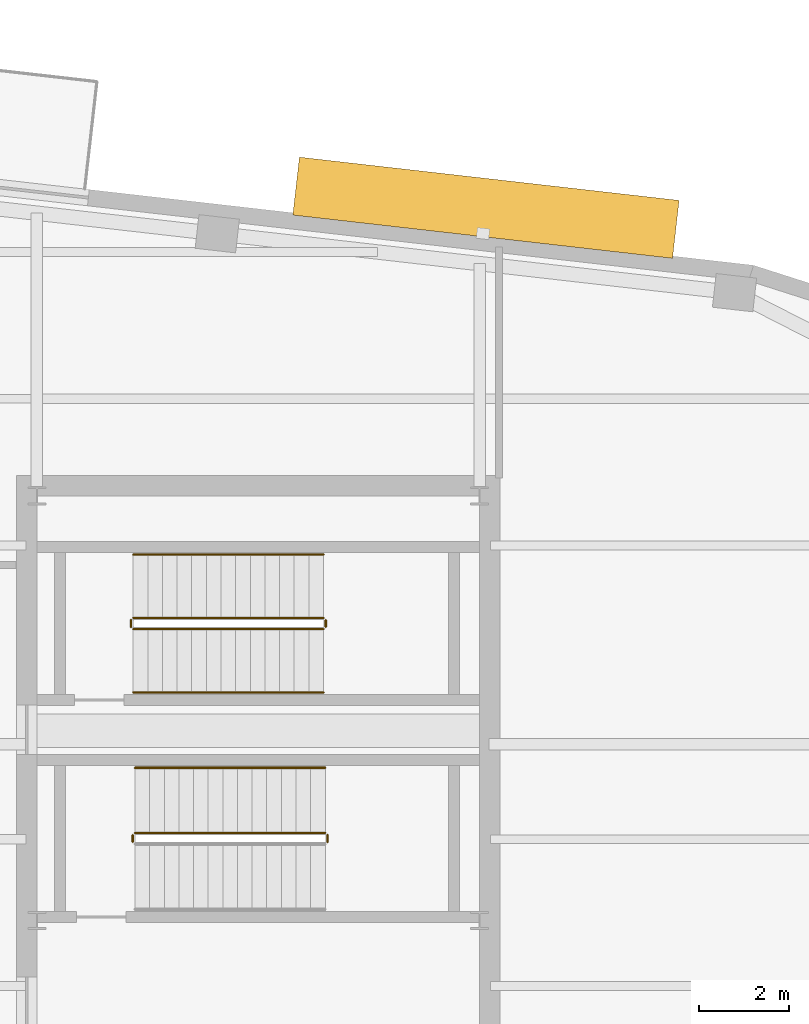
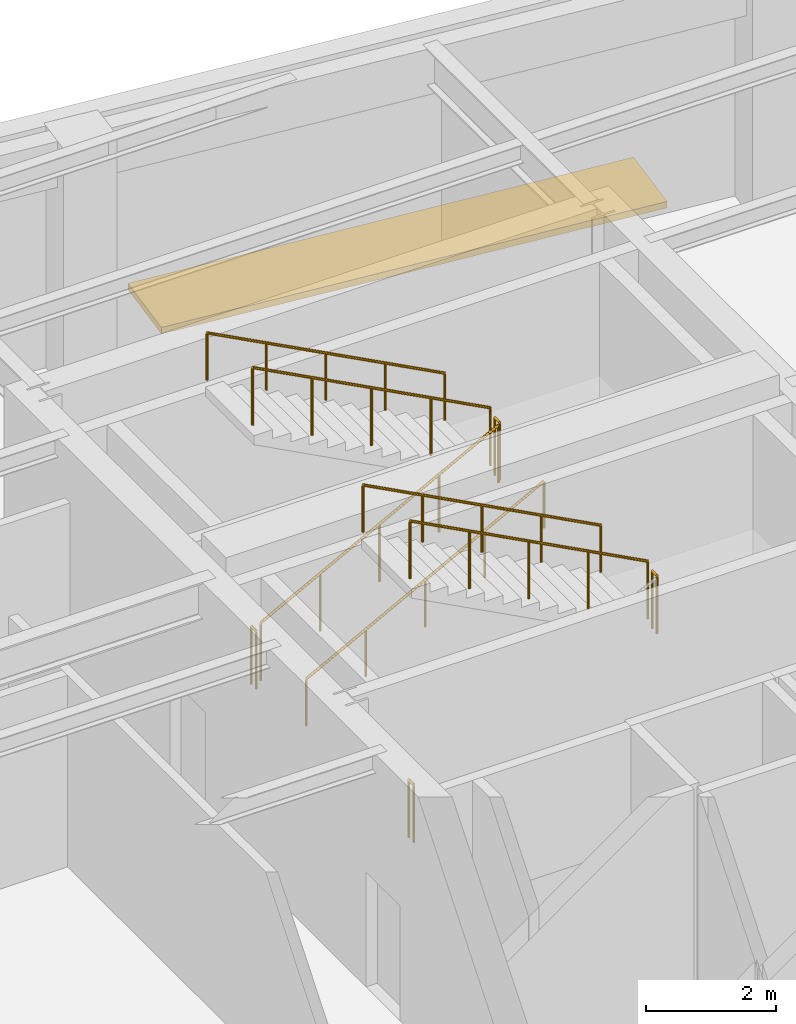
# One storey, part 14 of 15: 10 railings, 1 shading device.
"""IFC4 building model written with IfcOpenShell, lengths in metres."""

from ifc_helpers import new_model, si_unit, direction, frame, origin, origin_2d, place, context, subcontext, project, spatial, rectangle, circle, extrude, material, type_object, element, save


model = new_model("IFC4")

# Units and contexts
model_context = context("Model", 3, precision=1e-05, world=origin(), true_north=direction((0.0, 1.0)))
body_context = subcontext(model_context, "Body", "Model", "MODEL_VIEW")
ifc_project = project(units=[si_unit("LENGTHUNIT", "METRE"), si_unit("AREAUNIT", "SQUARE_METRE"), si_unit("VOLUMEUNIT", "CUBIC_METRE"), si_unit("PLANEANGLEUNIT", "RADIAN"), si_unit("MASSUNIT", "GRAM", prefix="KILO")], contexts=[model_context])

# Site, building, storey
site_placement = place(None, origin())
site = spatial("IfcSite", under=ifc_project, at=site_placement, CompositionType="ELEMENT")
building_placement = place(site_placement, origin())
building = spatial("IfcBuilding", under=site, at=building_placement, Name="Kolvaren Arena Tower", CompositionType="ELEMENT")
storey_placement = place(building_placement, frame((0.0, 0.0, 216.14990234375)))
storey = spatial("IfcBuildingStorey", under=building, at=storey_placement, Name="L52", CompositionType="ELEMENT", Elevation=216.14990234375)

# Railings
ifc_material_1 = material(Name="Painted galvanized steel", Category="steel")
railing_type_1 = type_object("IfcRailingType", Name="GUARD-ST-110", PredefinedType="GUARDRAIL", material=ifc_material_1)
railing_1_placement = place(storey_placement, frame((56.98193359375, 31.68994140625, 2.400146484375)))
element("IfcRailing", 1, at=railing_1_placement, inside=storey, type_object=railing_type_1, Name="L52 ST-E1 stair guard 2", PredefinedType="GUARDRAIL", context=body_context, shape_type="SweptSolid", body=[
    extrude(circle(Radius=0.02392578125, at=origin_2d()), frame((0.0, 0.0, 1.076171875), z_axis=(0.0, 1.0, 0.0), x_axis=(-1.0, 0.0, 0.0)), (0.0, 0.0, 1.0), 0.150146484375),
    extrude(circle(Radius=0.02099609375, at=origin_2d()), origin(), (0.0, 0.0, 1.0), 1.052001953125),
    extrude(circle(Radius=0.02099609375, at=origin_2d()), frame((0.0, 0.150146484375, 0.0)), (0.0, 0.0, 1.0), 1.052001953125),
])
railing_2_placement = place(storey_placement, frame((56.931884765625, 31.889892578125, 2.571533203125)))
element("IfcRailing", 2, at=railing_2_placement, inside=storey, type_object=railing_type_1, Name="L52 ST-E1 stair guard 3", PredefinedType="GUARDRAIL", context=body_context, shape_type="SweptSolid", body=[
    extrude(circle(Radius=0.02392578125, at=origin_2d()), frame((0.0, 0.0, 1.076171875), z_axis=(-0.883902544957, 0.0, 0.467671135542), x_axis=(0.0, -1.0, 0.0)), (0.0, 0.0, 1.0), 4.76513671875),
    extrude(circle(Radius=0.02099609375, at=origin_2d()), origin(), (0.0, 0.0, 1.0), 1.052001953125),
    extrude(circle(Radius=0.02099609375, at=origin_2d()), frame((-1.052978515625, 0.0, 0.55712890625)), (0.0, 0.0, 1.0), 1.052001953125),
    extrude(circle(Radius=0.02099609375, at=origin_2d()), frame((-2.10595703125, 0.0, 1.1142578125)), (0.0, 0.0, 1.0), 1.052001953125),
    extrude(circle(Radius=0.02099609375, at=origin_2d()), frame((-3.158935546875, 0.0, 1.67138671875)), (0.0, 0.0, 1.0), 1.052001953125),
    extrude(circle(Radius=0.02099609375, at=origin_2d()), frame((-4.2119140625, 0.0, 2.228515625)), (0.0, 0.0, 1.0), 1.052001953125),
])
railing_3_placement = place(storey_placement, frame((52.669921875, 31.68994140625, 0.0)))
element("IfcRailing", 3, at=railing_3_placement, inside=storey, type_object=railing_type_1, Name="L52 ST-E1 stair guard 4", PredefinedType="GUARDRAIL", context=body_context, shape_type="SweptSolid", body=[
    extrude(circle(Radius=0.02392578125, at=origin_2d()), frame((0.0, 0.0, 1.076171875), z_axis=(0.0, 1.0, 0.0), x_axis=(-1.0, 0.0, 0.0)), (0.0, 0.0, 1.0), 0.150146484375),
    extrude(circle(Radius=0.02099609375, at=origin_2d()), origin(), (0.0, 0.0, 1.0), 1.052001953125),
    extrude(circle(Radius=0.02099609375, at=origin_2d()), frame((0.0, 0.150146484375, 0.0)), (0.0, 0.0, 1.0), 1.052001953125),
])
railing_4_placement = place(storey_placement, frame((52.679931640625, 36.39990234375, 0.171630859375)))
element("IfcRailing", 4, at=railing_4_placement, inside=storey, type_object=railing_type_1, Name="L52 ST-E2 stair guard 1", PredefinedType="GUARDRAIL", context=body_context, shape_type="SweptSolid", body=[
    extrude(circle(Radius=0.02392578125, at=origin_2d()), frame((0.0, 0.0, 1.076171875), z_axis=(0.883913750078, 0.0, 0.46764995715), x_axis=(0.0, 1.0, 0.0)), (0.0, 0.0, 1.0), 4.765380859375),
    extrude(circle(Radius=0.02099609375, at=origin_2d()), origin(), (0.0, 0.0, 1.0), 1.052001953125),
    extrude(circle(Radius=0.02099609375, at=origin_2d()), frame((1.052978515625, 0.0, 0.55712890625)), (0.0, 0.0, 1.0), 1.052001953125),
    extrude(circle(Radius=0.02099609375, at=origin_2d()), frame((2.10595703125, 0.0, 1.1142578125)), (0.0, 0.0, 1.0), 1.052001953125),
    extrude(circle(Radius=0.02099609375, at=origin_2d()), frame((3.1591796875, 0.0, 1.67138671875)), (0.0, 0.0, 1.0), 1.052001953125),
    extrude(circle(Radius=0.02099609375, at=origin_2d()), frame((4.212158203125, 0.0, 2.228515625)), (0.0, 0.0, 1.0), 1.052001953125),
])
railing_5_placement = place(storey_placement, frame((56.94189453125, 36.449951171875, 2.400146484375)))
element("IfcRailing", 5, at=railing_5_placement, inside=storey, type_object=railing_type_1, Name="L52 ST-E2 stair guard 2", PredefinedType="GUARDRAIL", context=body_context, shape_type="SweptSolid", body=[
    extrude(circle(Radius=0.02392578125, at=origin_2d()), frame((0.0, 0.0, 1.076171875), z_axis=(0.0, 1.0, 0.0), x_axis=(-1.0, 0.0, 0.0)), (0.0, 0.0, 1.0), 0.150146484375),
    extrude(circle(Radius=0.02099609375, at=origin_2d()), origin(), (0.0, 0.0, 1.0), 1.052001953125),
    extrude(circle(Radius=0.02099609375, at=origin_2d()), frame((0.0, 0.150146484375, 0.0)), (0.0, 0.0, 1.0), 1.052001953125),
])
railing_6_placement = place(storey_placement, frame((56.89208984375, 36.64990234375, 2.571533203125)))
element("IfcRailing", 6, at=railing_6_placement, inside=storey, type_object=railing_type_1, Name="L52 ST-E2 stair guard 3", PredefinedType="GUARDRAIL", context=body_context, shape_type="SweptSolid", body=[
    extrude(circle(Radius=0.02392578125, at=origin_2d()), frame((0.0, 0.0, 1.076171875), z_axis=(-0.883913750078, 0.0, 0.46764995715), x_axis=(0.0, -1.0, 0.0)), (0.0, 0.0, 1.0), 4.765380859375),
    extrude(circle(Radius=0.02099609375, at=origin_2d()), origin(), (0.0, 0.0, 1.0), 1.052001953125),
    extrude(circle(Radius=0.02099609375, at=origin_2d()), frame((-1.052978515625, 0.0, 0.55712890625)), (0.0, 0.0, 1.0), 1.052001953125),
    extrude(circle(Radius=0.02099609375, at=origin_2d()), frame((-2.10595703125, 0.0, 1.1142578125)), (0.0, 0.0, 1.0), 1.052001953125),
    extrude(circle(Radius=0.02099609375, at=origin_2d()), frame((-3.1591796875, 0.0, 1.67138671875)), (0.0, 0.0, 1.0), 1.052001953125),
    extrude(circle(Radius=0.02099609375, at=origin_2d()), frame((-4.212158203125, 0.0, 2.228515625)), (0.0, 0.0, 1.0), 1.052001953125),
])
railing_7_placement = place(storey_placement, frame((52.6298828125, 36.449951171875, 0.0)))
element("IfcRailing", 7, at=railing_7_placement, inside=storey, type_object=railing_type_1, Name="L52 ST-E2 stair guard 4", PredefinedType="GUARDRAIL", context=body_context, shape_type="SweptSolid", body=[
    extrude(circle(Radius=0.02392578125, at=origin_2d()), frame((0.0, 0.0, 1.076171875), z_axis=(0.0, 1.0, 0.0), x_axis=(-1.0, 0.0, 0.0)), (0.0, 0.0, 1.0), 0.150146484375),
    extrude(circle(Radius=0.02099609375, at=origin_2d()), origin(), (0.0, 0.0, 1.0), 1.052001953125),
    extrude(circle(Radius=0.02099609375, at=origin_2d()), frame((0.0, 0.150146484375, 0.0)), (0.0, 0.0, 1.0), 1.052001953125),
])
ifc_material_2 = material(Name="Brushed stainless steel handrail", Category="steel")
railing_type_2 = type_object("IfcRailingType", Name="HRAIL-900", PredefinedType="HANDRAIL", material=ifc_material_2)
railing_8_placement = place(storey_placement, frame((56.931884765625, 33.330078125, 2.571533203125)))
element("IfcRailing", 8, at=railing_8_placement, inside=storey, type_object=railing_type_2, Name="L52 ST-E1 stair handrail 2", PredefinedType="HANDRAIL", context=body_context, shape_type="SweptSolid", body=[
    extrude(circle(Radius=0.02392578125, at=origin_2d()), frame((0.0, 0.0, 0.8759765625), z_axis=(-0.883902544957, 0.0, 0.467671135542), x_axis=(0.0, -1.0, 0.0)), (0.0, 0.0, 1.0), 4.76513671875),
    extrude(circle(Radius=0.02099609375, at=origin_2d()), origin(), (0.0, 0.0, 1.0), 0.851806640625),
    extrude(circle(Radius=0.02099609375, at=origin_2d()), frame((-1.052978515625, 0.0, 0.55712890625)), (0.0, 0.0, 1.0), 0.851806640625),
    extrude(circle(Radius=0.02099609375, at=origin_2d()), frame((-2.10595703125, 0.0, 1.1142578125)), (0.0, 0.0, 1.0), 0.851806640625),
    extrude(circle(Radius=0.02099609375, at=origin_2d()), frame((-3.158935546875, 0.0, 1.67138671875)), (0.0, 0.0, 1.0), 0.851806640625),
    extrude(circle(Radius=0.02099609375, at=origin_2d()), frame((-4.2119140625, 0.0, 2.228515625)), (0.0, 0.0, 1.0), 0.851806640625),
])
railing_9_placement = place(storey_placement, frame((52.679931640625, 35.0, 0.171630859375)))
element("IfcRailing", 9, at=railing_9_placement, inside=storey, type_object=railing_type_2, Name="L52 ST-E2 stair handrail 1", PredefinedType="HANDRAIL", context=body_context, shape_type="SweptSolid", body=[
    extrude(circle(Radius=0.02392578125, at=origin_2d()), frame((0.0, 0.0, 0.8759765625), z_axis=(0.883913750078, 0.0, 0.46764995715), x_axis=(0.0, 1.0, 0.0)), (0.0, 0.0, 1.0), 4.765380859375),
    extrude(circle(Radius=0.02099609375, at=origin_2d()), origin(), (0.0, 0.0, 1.0), 0.851806640625),
    extrude(circle(Radius=0.02099609375, at=origin_2d()), frame((1.052978515625, 0.0, 0.55712890625)), (0.0, 0.0, 1.0), 0.851806640625),
    extrude(circle(Radius=0.02099609375, at=origin_2d()), frame((2.10595703125, 0.0, 1.1142578125)), (0.0, 0.0, 1.0), 0.851806640625),
    extrude(circle(Radius=0.02099609375, at=origin_2d()), frame((3.1591796875, 0.0, 1.67138671875)), (0.0, 0.0, 1.0), 0.851806640625),
    extrude(circle(Radius=0.02099609375, at=origin_2d()), frame((4.212158203125, 0.0, 2.228515625)), (0.0, 0.0, 1.0), 0.851806640625),
])
railing_10_placement = place(storey_placement, frame((56.89208984375, 38.050048828125, 2.571533203125)))
element("IfcRailing", 10, at=railing_10_placement, inside=storey, type_object=railing_type_2, Name="L52 ST-E2 stair handrail 2", PredefinedType="HANDRAIL", context=body_context, shape_type="SweptSolid", body=[
    extrude(circle(Radius=0.02392578125, at=origin_2d()), frame((0.0, 0.0, 0.8759765625), z_axis=(-0.883913750078, 0.0, 0.46764995715), x_axis=(0.0, -1.0, 0.0)), (0.0, 0.0, 1.0), 4.765380859375),
    extrude(circle(Radius=0.02099609375, at=origin_2d()), origin(), (0.0, 0.0, 1.0), 0.851806640625),
    extrude(circle(Radius=0.02099609375, at=origin_2d()), frame((-1.052978515625, 0.0, 0.55712890625)), (0.0, 0.0, 1.0), 0.851806640625),
    extrude(circle(Radius=0.02099609375, at=origin_2d()), frame((-2.10595703125, 0.0, 1.1142578125)), (0.0, 0.0, 1.0), 0.851806640625),
    extrude(circle(Radius=0.02099609375, at=origin_2d()), frame((-3.1591796875, 0.0, 1.67138671875)), (0.0, 0.0, 1.0), 0.851806640625),
    extrude(circle(Radius=0.02099609375, at=origin_2d()), frame((-4.212158203125, 0.0, 2.228515625)), (0.0, 0.0, 1.0), 0.851806640625),
])

# Shading device
ifc_material_3 = material(Name="Architectural precast GFRC and anodised aluminium sunshade", Category="concrete")
shading_device_type = type_object("IfcShadingDeviceType", Name="SHAD-SINE-B", PredefinedType="JALOUSIE", material=ifc_material_3)
shading_device_placement = place(storey_placement, frame((60.48974609375, 45.7294921875, -0.139892578125), z_axis=(0.0, 0.0, 1.0), x_axis=(0.993571658098, -0.113204947878, 0.0)))
element("IfcShadingDevice", 11, at=shading_device_placement, inside=storey, type_object=shading_device_type, Name="Sinusoidal Slab-Edge Sunshade Louvre (L52)", PredefinedType="JALOUSIE", context=body_context, shape_type="SweptSolid", body=[
    extrude(rectangle(XDim=8.4599609375, YDim=1.291015625, at=origin_2d()), origin(), (0.0, 0.0, 1.0), 0.1201171875),
])

save(model, "model.ifc")
